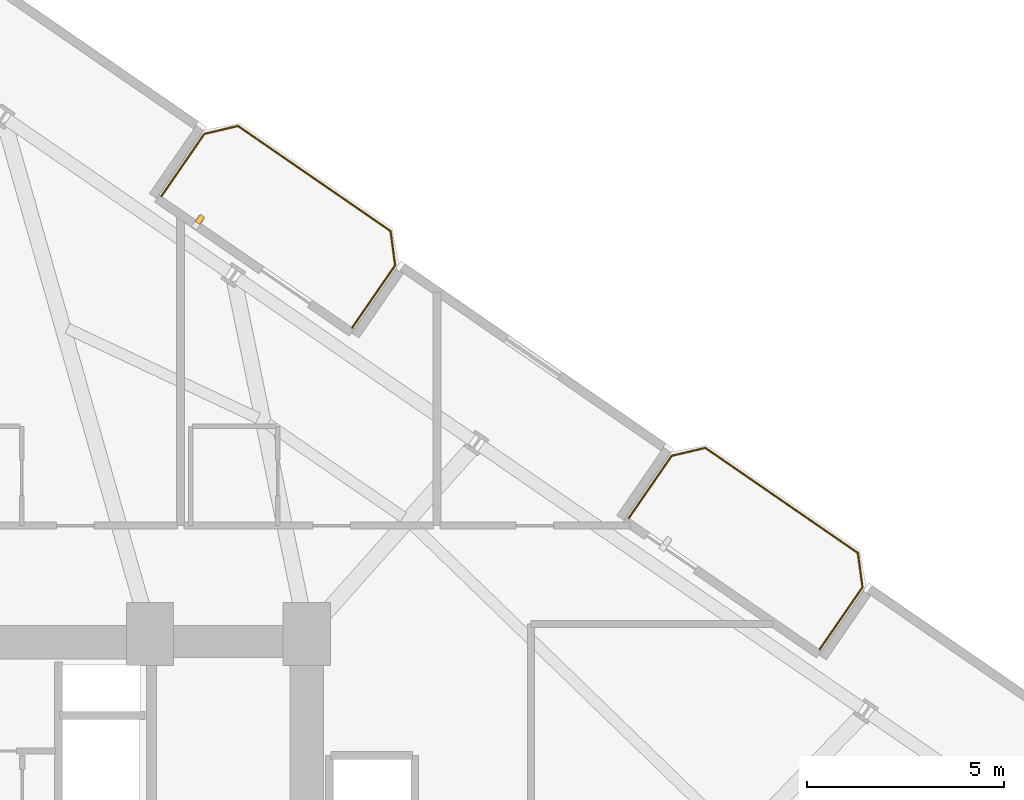
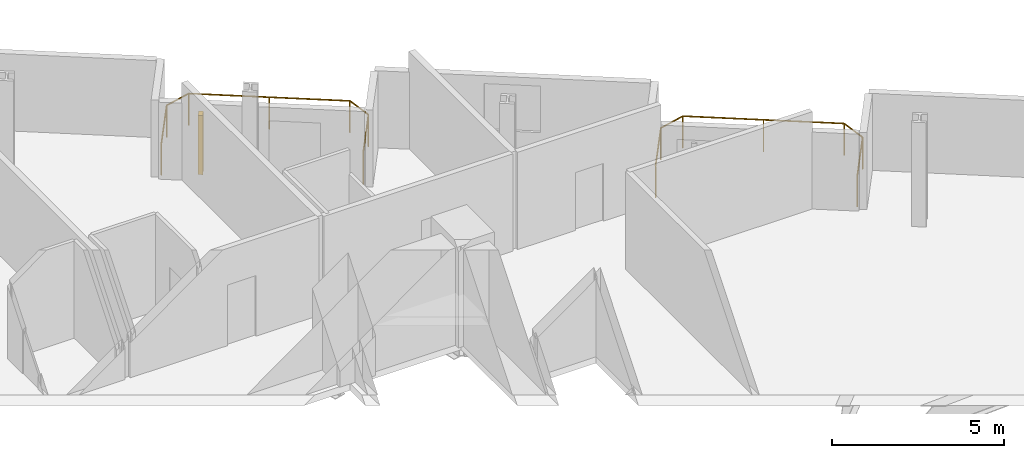
# One storey, part 27 of 27: 2 railings, 1 shading device.
"""IFC4 building model written with IfcOpenShell, lengths in metres."""

import ifcopenshell
import ifcopenshell.guid

model = None  # the IFC model being written
_history = None  # IfcOwnerHistory: only IFC2X3 demands one
_inside = {}  # id of a spatial element -> (the spatial element, [elements in it])
_under = {}  # id of a project, library or spatial element -> (it, [spatial elements below it])
_declared = {}  # id of a project -> (the project, [libraries it declares])
_typed = {}  # id of a type object -> (the type object, [elements of that type])
_made_of = {}  # id of a material, layer set ... -> (it, [elements and type objects made of it])


def new_model(schema):
    """Start an empty IFC model of exactly this schema.

    Asked for "IFC4X3", IfcOpenShell would pick the latest addendum, in which some entities
    have other attributes; the version numbers below select the first issue.
    IFC2X3 requires an IfcOwnerHistory on every rooted entity: one is made here for all.
    """
    global model, _history
    if schema == "IFC4X3":
        model = ifcopenshell.file(schema_version=(4, 3, 0, 0))
    else:
        model = ifcopenshell.file(schema=schema)
    _inside.clear()
    _under.clear()
    _declared.clear()
    _typed.clear()
    _made_of.clear()
    _history = None
    if model.schema == "IFC2X3":
        org = make("IfcOrganization", Name="unknown")
        user = make(
            "IfcPersonAndOrganization",
            ThePerson=make("IfcPerson", FamilyName="unknown"),
            TheOrganization=org,
        )
        app = make(
            "IfcApplication",
            ApplicationDeveloper=org,
            Version="unknown",
            ApplicationFullName="unknown",
            ApplicationIdentifier="unknown",
        )
        _history = make(
            "IfcOwnerHistory",
            OwningUser=user,
            OwningApplication=app,
            ChangeAction="ADDED",
            CreationDate=0,
        )
    return model


def make(cls, **values):
    """One entity of the class cls with the attributes given. An attribute that is None is left unset."""
    return model.create_entity(
        cls, **{name: value for name, value in values.items() if value is not None}
    )


def rooted(cls, **values):
    """An entity with a GlobalId (a new one), such as an element, a storey or a relation."""
    return make(cls, GlobalId=ifcopenshell.guid.new(), OwnerHistory=_history, **values)


def si_unit(unit_type, name, prefix=None):
    """IfcSIUnit, for example si_unit("LENGTHUNIT", "METRE", prefix="MILLI")."""
    return make("IfcSIUnit", UnitType=unit_type, Prefix=prefix, Name=name)


def assignment(units):
    """IfcUnitAssignment: the units of a project."""
    return None if units is None else make("IfcUnitAssignment", Units=units)


def point(xyz):
    """IfcCartesianPoint."""
    return None if xyz is None else make("IfcCartesianPoint", Coordinates=xyz)


def direction(xyz):
    """IfcDirection."""
    return None if xyz is None else make("IfcDirection", DirectionRatios=xyz)


def frame(location, z_axis=None, x_axis=None):
    """IfcAxis2Placement3D, a coordinate frame: its origin and axes. An axis left out is left unset."""
    return make(
        "IfcAxis2Placement3D",
        Location=point(location),
        Axis=direction(z_axis),
        RefDirection=direction(x_axis),
    )


def frame_2d(location, x_axis=None):
    """IfcAxis2Placement2D, a coordinate frame in the plane: its origin and x axis."""
    return make(
        "IfcAxis2Placement2D", Location=point(location), RefDirection=direction(x_axis)
    )


def origin():
    """The frame at (0, 0, 0) with its axes left unset."""
    return frame((0.0, 0.0, 0.0))


def origin_2d():
    """The frame at (0, 0) in the plane with its x axis left unset."""
    return frame_2d((0.0, 0.0))


def place(relative_to, where):
    """IfcLocalPlacement: puts the frame where relative to a parent placement (None: the world)."""
    return make(
        "IfcLocalPlacement", PlacementRelTo=relative_to, RelativePlacement=where
    )


def context(
    kind, dimensions, precision=None, world=None, true_north=None, identifier=None
):
    """IfcGeometricRepresentationContext, for example the 3D "Model" context."""
    return make(
        "IfcGeometricRepresentationContext",
        ContextIdentifier=identifier,
        ContextType=kind,
        CoordinateSpaceDimension=dimensions,
        Precision=precision,
        WorldCoordinateSystem=world,
        TrueNorth=true_north,
    )


def subcontext(parent, identifier, kind, view, scale=None):
    """IfcGeometricRepresentationSubContext, for example "Body" below "Model"."""
    return make(
        "IfcGeometricRepresentationSubContext",
        ContextIdentifier=identifier,
        ContextType=kind,
        ParentContext=parent,
        TargetScale=scale,
        TargetView=view,
    )


def project(units=None, contexts=None):
    """IfcProject with its units and contexts."""
    return rooted(
        "IfcProject",
        Name="project",
        RepresentationContexts=contexts,
        UnitsInContext=assignment(units),
    )


def spatial(cls, under=None, at=None, **own):
    """A site, building, storey or space (cls), placed at a placement, below another one or the project."""
    s = rooted(cls, ObjectPlacement=at, **own)
    if under is not None:
        _under.setdefault(under.id(), (under, []))[1].append(s)
    return s


def profile(cls, at=None, kind="AREA", **sizes):
    """A parametric profile (cls). Its sizes go by their IFC names, for example OverallWidth=200.0."""
    return make(cls, ProfileType=kind, Position=at, **sizes)


def rectangle(**sizes):
    """IfcRectangleProfileDef."""
    return profile("IfcRectangleProfileDef", **sizes)


def circle(**sizes):
    """IfcCircleProfileDef."""
    return profile("IfcCircleProfileDef", **sizes)


def extrude(swept, where, along, depth):
    """IfcExtrudedAreaSolid: the profile swept, set in the frame where, extruded along a direction by depth."""
    return make(
        "IfcExtrudedAreaSolid",
        SweptArea=swept,
        Position=where,
        ExtrudedDirection=direction(along),
        Depth=depth,
    )


def shape(context_of_items, identifier, shape_type, items):
    """IfcShapeRepresentation: the items that make up one representation, for example the "Body"."""
    return make(
        "IfcShapeRepresentation",
        ContextOfItems=context_of_items,
        RepresentationIdentifier=identifier,
        RepresentationType=shape_type,
        Items=items,
    )


def source(mapping_origin, context_of_items, identifier, shape_type, items):
    """IfcRepresentationMap: a shape defined once, which mapped items show again and again."""
    return make(
        "IfcRepresentationMap",
        MappingOrigin=mapping_origin,
        MappedRepresentation=shape(context_of_items, identifier, shape_type, items),
    )


def transform(
    local_origin,
    x_axis=None,
    y_axis=None,
    z_axis=None,
    scale=None,
    scale2=None,
    scale3=None,
    uniform=True,
):
    """IfcCartesianTransformationOperator3D, or its non-uniform kind. x_axis, y_axis, z_axis: its Axis1, 2, 3."""
    if uniform:
        return make(
            "IfcCartesianTransformationOperator3D",
            Axis1=direction(x_axis),
            Axis2=direction(y_axis),
            LocalOrigin=point(local_origin),
            Scale=scale,
            Axis3=direction(z_axis),
        )
    return make(
        "IfcCartesianTransformationOperator3DnonUniform",
        Axis1=direction(x_axis),
        Axis2=direction(y_axis),
        LocalOrigin=point(local_origin),
        Scale=scale,
        Axis3=direction(z_axis),
        Scale2=scale2,
        Scale3=scale3,
    )


def mapped(mapping_source, mapping_target):
    """IfcMappedItem: shows the shape of a source again, moved by a transform."""
    return make(
        "IfcMappedItem", MappingSource=mapping_source, MappingTarget=mapping_target
    )


def material(Name=None, Category=None):
    """IfcMaterial."""
    return make("IfcMaterial", Name=Name, Category=Category)


def made_of(thing, what):
    """Note that an element or type object is made of a material, layer set ...; save() writes the relation."""
    if what is not None:
        _made_of.setdefault(what.id(), (what, []))[1].append(thing)
    return thing


def type_object(cls, material=None, **own):
    """A type object (cls), such as IfcWallType, which elements share."""
    return made_of(rooted(cls, **own), material)


def element(
    cls,
    number,
    at=None,
    inside=None,
    cuts=None,
    type_object=None,
    material=None,
    context=None,
    identifier="Body",
    shape_type=None,
    held_by="IfcProductDefinitionShape",
    body=None,
    shapes=None,
    **own,
):
    """One element of the class cls, such as IfcWall. Its Tag is "e" and its number.

    at: its placement. inside: the storey or other place that contains it. cuts: it is an
    opening in that element (IfcRelVoidsElement). A single representation is given by context,
    identifier, shape_type and body (its items); several are given by shapes. held_by: the class
    of the entity that holds the representations. save() writes the other relations.
    """
    e = rooted(cls, Tag="e%d" % number, ObjectPlacement=at, **own)
    if body is not None:
        shapes = [shape(context, identifier, shape_type, body)]
    if shapes is not None:
        e.Representation = make(held_by, Representations=shapes)
    if inside is not None:
        _inside.setdefault(inside.id(), (inside, []))[1].append(e)
    if cuts is not None:
        rooted(
            "IfcRelVoidsElement", RelatingBuildingElement=cuts, RelatedOpeningElement=e
        )
    if type_object is not None:
        _typed.setdefault(type_object.id(), (type_object, []))[1].append(e)
    return made_of(e, material)


def aggregate(whole, parts):
    """IfcRelAggregates: a whole, such as a stair, and the parts it consists of."""
    return rooted("IfcRelAggregates", RelatingObject=whole, RelatedObjects=parts)


def save(model, path):
    """Write the relations noted so far, then the file.

    IfcRelAggregates (storeys below a building ...), IfcRelContainedInSpatialStructure (elements
    in a storey), IfcRelDefinesByType, IfcRelAssociatesMaterial and IfcRelDeclares: one each for
    every whole, place, type object, material and project.
    """
    for whole, parts in _under.values():
        aggregate(whole, parts)
    for where, things in _inside.values():
        rooted(
            "IfcRelContainedInSpatialStructure",
            RelatedElements=things,
            RelatingStructure=where,
        )
    for kind, things in _typed.values():
        rooted("IfcRelDefinesByType", RelatedObjects=things, RelatingType=kind)
    for what, things in _made_of.values():
        rooted("IfcRelAssociatesMaterial", RelatedObjects=things, RelatingMaterial=what)
    for by, libraries in _declared.values():
        rooted("IfcRelDeclares", RelatingContext=by, RelatedDefinitions=libraries)
    model.write(path)


model = new_model("IFC4")

# Units and contexts
model_context = context("Model", 3, precision=1e-05, world=origin(), true_north=direction((0.0, 1.0)))
body_context = subcontext(model_context, "Body", "Model", "MODEL_VIEW")
ifc_project = project(units=[si_unit("LENGTHUNIT", "METRE"), si_unit("AREAUNIT", "SQUARE_METRE"), si_unit("VOLUMEUNIT", "CUBIC_METRE"), si_unit("PLANEANGLEUNIT", "RADIAN"), si_unit("MASSUNIT", "GRAM", prefix="KILO")], contexts=[model_context])

# Site, building, storey
site_placement = place(None, origin())
site = spatial("IfcSite", under=ifc_project, at=site_placement, CompositionType="ELEMENT")
building_placement = place(site_placement, origin())
building = spatial("IfcBuilding", under=site, at=building_placement, Name="Varnelok Gate Tower", CompositionType="ELEMENT")
storey_placement = place(building_placement, frame((0.0, 0.0, 60.300048828125)))
storey = spatial("IfcBuildingStorey", under=building, at=storey_placement, Name="L14", CompositionType="ELEMENT", Elevation=60.300048828125)

# Railings
ifc_material_1 = material(Name="Low-E Laminated Double Glazing IGU", Category="glass")
railing_type = type_object("IfcRailingType", Name="RL-BALC-1150", PredefinedType="BALUSTRADE", material=ifc_material_1)
railing_1_placement = place(storey_placement, frame((44.010009765625, 50.158203125, 0.0)))
element("IfcRailing", 1, at=railing_1_placement, inside=storey, type_object=railing_type, Name="L14 North Terrace Balustrade 3", PredefinedType="BALUSTRADE", context=body_context, shape_type="SweptSolid", body=[
    extrude(circle(Radius=0.02392578125, at=origin_2d()), frame((0.0, 0.0, 1.1259765625), z_axis=(0.567284155424, 0.82352212296, 0.0), x_axis=(-0.82352212296, 0.567284155424, 0.0)), (0.0, 0.0, 1.0), 1.919921875),
    extrude(circle(Radius=0.02392578125, at=origin_2d()), frame((1.089111328125, 1.5810546875, 1.1259765625), z_axis=(0.973526462254, 0.228574336467, 0.0), x_axis=(-0.228574336467, 0.973526462254, 0.0)), (0.0, 0.0, 1.0), 0.8779296875),
    extrude(circle(Radius=0.02392578125, at=origin_2d()), frame((1.94384765625, 1.78173828125, 1.1259765625), z_axis=(0.823523239622, -0.567282534371, 0.0), x_axis=(0.567282534371, 0.823523239622, 0.0)), (0.0, 0.0, 1.0), 4.699951171875),
    extrude(circle(Radius=0.02392578125, at=origin_2d()), frame((5.814453125, -0.884521484375, 1.1259765625), z_axis=(0.133238627421, -0.991083986433, 0.0), x_axis=(0.991083986433, 0.133238627421, 0.0)), (0.0, 0.0, 1.0), 0.877685546875),
    extrude(circle(Radius=0.02392578125, at=origin_2d()), frame((5.931396484375, -1.75439453125, 1.1259765625), z_axis=(-0.567224752248, -0.823563039747, 0.0), x_axis=(0.823563039747, -0.567224752248, 0.0)), (0.0, 0.0, 1.0), 1.920166015625),
    extrude(circle(Radius=0.02099609375, at=origin_2d()), origin(), (0.0, 0.0, 1.0), 1.101806640625),
    extrude(circle(Radius=0.02099609375, at=origin_2d()), frame((1.089111328125, 1.5810546875, 0.0)), (0.0, 0.0, 1.0), 1.101806640625),
    extrude(circle(Radius=0.02099609375, at=origin_2d()), frame((1.94384765625, 1.78173828125, 0.0)), (0.0, 0.0, 1.0), 1.101806640625),
    extrude(circle(Radius=0.02099609375, at=origin_2d()), frame((3.879150390625, 0.44873046875, 0.0)), (0.0, 0.0, 1.0), 1.101806640625),
    extrude(circle(Radius=0.02099609375, at=origin_2d()), frame((5.814453125, -0.884521484375, 0.0)), (0.0, 0.0, 1.0), 1.101806640625),
    extrude(circle(Radius=0.02099609375, at=origin_2d()), frame((5.931396484375, -1.75439453125, 0.0)), (0.0, 0.0, 1.0), 1.101806640625),
    extrude(circle(Radius=0.02099609375, at=origin_2d()), frame((4.84228515625, -3.335693359375, 0.0)), (0.0, 0.0, 1.0), 1.101806640625),
])
railing_2_placement = place(storey_placement, frame((55.868896484375, 41.989501953125, 0.0)))
element("IfcRailing", 2, at=railing_2_placement, inside=storey, type_object=railing_type, Name="L14 North Terrace Balustrade 4", PredefinedType="BALUSTRADE", context=body_context, shape_type="SweptSolid", body=[
    extrude(circle(Radius=0.02392578125, at=origin_2d()), frame((0.0, 0.0, 1.1259765625), z_axis=(0.567284155424, 0.82352212296, 0.0), x_axis=(-0.82352212296, 0.567284155424, 0.0)), (0.0, 0.0, 1.0), 1.919921875),
    extrude(circle(Radius=0.02392578125, at=origin_2d()), frame((1.089111328125, 1.5810546875, 1.1259765625), z_axis=(0.973526462254, 0.228574336467, 0.0), x_axis=(-0.228574336467, 0.973526462254, 0.0)), (0.0, 0.0, 1.0), 0.8779296875),
    extrude(circle(Radius=0.02392578125, at=origin_2d()), frame((1.94384765625, 1.78173828125, 1.1259765625), z_axis=(0.823523239622, -0.567282534371, 0.0), x_axis=(0.567282534371, 0.823523239622, 0.0)), (0.0, 0.0, 1.0), 4.699951171875),
    extrude(circle(Radius=0.02392578125, at=origin_2d()), frame((5.814453125, -0.884521484375, 1.1259765625), z_axis=(0.133238627421, -0.991083986433, 0.0), x_axis=(0.991083986433, 0.133238627421, 0.0)), (0.0, 0.0, 1.0), 0.877685546875),
    extrude(circle(Radius=0.02392578125, at=origin_2d()), frame((5.931396484375, -1.75439453125, 1.1259765625), z_axis=(-0.567224752248, -0.823563039747, 0.0), x_axis=(0.823563039747, -0.567224752248, 0.0)), (0.0, 0.0, 1.0), 1.920166015625),
    extrude(circle(Radius=0.02099609375, at=origin_2d()), origin(), (0.0, 0.0, 1.0), 1.101806640625),
    extrude(circle(Radius=0.02099609375, at=origin_2d()), frame((1.089111328125, 1.5810546875, 0.0)), (0.0, 0.0, 1.0), 1.101806640625),
    extrude(circle(Radius=0.02099609375, at=origin_2d()), frame((1.94384765625, 1.78173828125, 0.0)), (0.0, 0.0, 1.0), 1.101806640625),
    extrude(circle(Radius=0.02099609375, at=origin_2d()), frame((3.879150390625, 0.44873046875, 0.0)), (0.0, 0.0, 1.0), 1.101806640625),
    extrude(circle(Radius=0.02099609375, at=origin_2d()), frame((5.814453125, -0.884521484375, 0.0)), (0.0, 0.0, 1.0), 1.101806640625),
    extrude(circle(Radius=0.02099609375, at=origin_2d()), frame((5.931396484375, -1.75439453125, 0.0)), (0.0, 0.0, 1.0), 1.101806640625),
    extrude(circle(Radius=0.02099609375, at=origin_2d()), frame((4.84228515625, -3.335693359375, 0.0)), (0.0, 0.0, 1.0), 1.101806640625),
])

# Shading device
ifc_material_2 = material(Name="Glazed Architectural Terracotta Ceramic", Category="masonry")
shading_device_type = type_object("IfcShadingDeviceType", Name="SHD-TERRA-BAGUETTE", PredefinedType="USERDEFINED", material=ifc_material_2)
shared_shape = source(origin(), body_context, "Body", "SweptSolid", [
    extrude(rectangle(XDim=0.139892578125, YDim=0.219970703125, at=origin_2d()), origin(), (0.0, 0.0, 1.0), 2.10009765625),
])
shading_device_placement = place(storey_placement, frame((44.988525390625, 49.569091796875, 0.099853515625), z_axis=(0.0, 0.0, 1.0), x_axis=(0.823532597628, -0.567268949127, 0.0)))
element("IfcShadingDevice", 3, at=shading_device_placement, inside=storey, type_object=shading_device_type, Name="L14 Terracotta Ceramic Baguette Sunscreen 3.1", ObjectType="BAGUETTE", PredefinedType="USERDEFINED", context=body_context, shape_type="MappedRepresentation", body=[
    mapped(shared_shape, transform((0.0, 0.0, 0.0), scale=1.0)),
])

save(model, "model.ifc")
